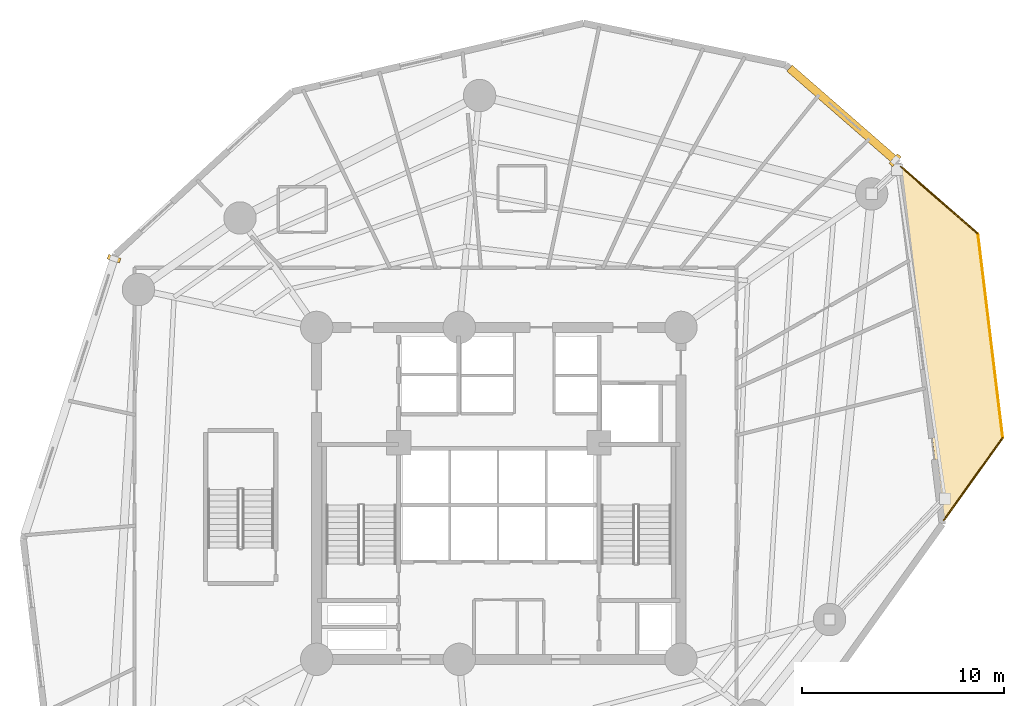
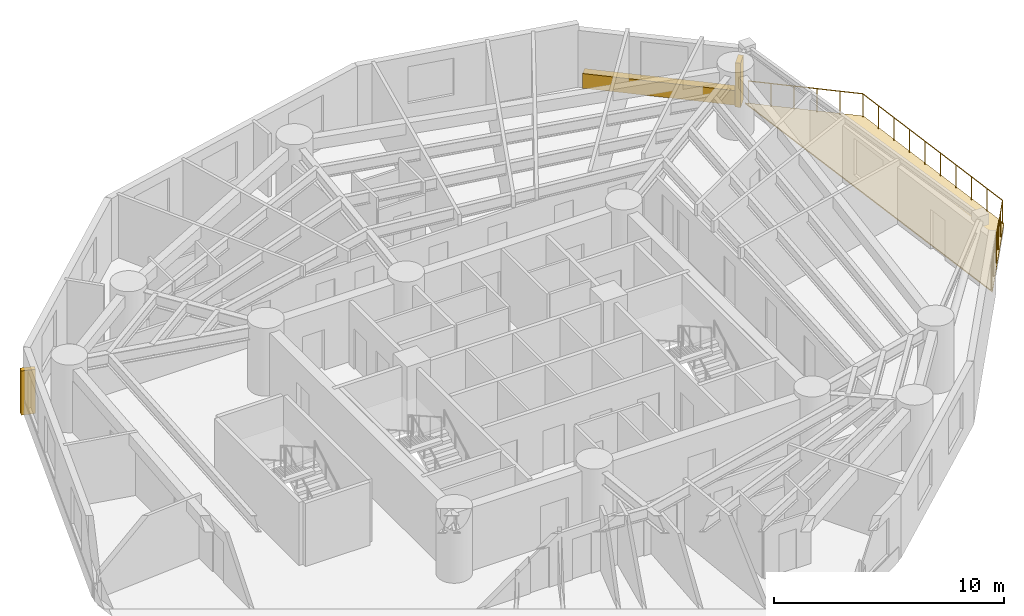
# One storey, part 10 of 10: 3 railings, 2 coverings, 2 shading devices.
"""IFC4 building model written with IfcOpenShell, lengths in metres."""

from ifc_helpers import new_model, si_unit, direction, frame, origin, origin_with_axes, origin_2d, place, context, subcontext, project, spatial, polyline, rectangle, circle, outline, extrude, source, transform, mapped, material, layer, layer_set, type_object, element, save


model = new_model("IFC4")

# Units and contexts
model_context = context("Model", 3, precision=1e-05, world=origin(), true_north=direction((0.0, 1.0)))
body_context = subcontext(model_context, "Body", "Model", "MODEL_VIEW")
ifc_project = project(units=[si_unit("LENGTHUNIT", "METRE"), si_unit("AREAUNIT", "SQUARE_METRE"), si_unit("VOLUMEUNIT", "CUBIC_METRE"), si_unit("PLANEANGLEUNIT", "RADIAN"), si_unit("MASSUNIT", "GRAM", prefix="KILO")], contexts=[model_context])

# Site, building, storey
site_placement = place(None, origin())
site = spatial("IfcSite", under=ifc_project, at=site_placement, CompositionType="ELEMENT")
building_placement = place(site_placement, origin())
building = spatial("IfcBuilding", under=site, at=building_placement, Name="Karkom Vertical University and Central Library", CompositionType="ELEMENT")
storey_placement = place(building_placement, frame((0.0, 0.0, 66.10009765625)))
storey = spatial("IfcBuildingStorey", under=building, at=storey_placement, Name="L17", CompositionType="ELEMENT", Elevation=66.10009765625)

# Covering
ifc_material_1 = material(Name="EPDM membrane with Kota stone ballast roofing", Category="masonry")
ifc_layer_1 = layer(ifc_material_1, 0.080078125)
ifc_layer_set_1 = layer_set([ifc_layer_1], Name="EPDM membrane with Kota stone ballast roofing")
covering_type_1 = type_object("IfcCoveringType", Name="ENV-COV-ROOF", PredefinedType="ROOFING", material=ifc_layer_set_1)
covering_1_placement = place(storey_placement, origin())
element("IfcCovering", 1, at=covering_1_placement, inside=storey, type_object=covering_type_1, Name="Level 17 Spiral Sky Garden Waterproofing Covering", PredefinedType="ROOFING", context=body_context, shape_type="SweptSolid", body=[
    extrude(outline(polyline([(52.231201171875, 39.343994140625), (53.460693359375, 29.245361328125), (50.431640625, 25.003173828125), (48.26513671875, 42.80029296875), (52.231201171875, 39.343994140625)])), origin(), (0.0, 0.0, 1.0), 0.059814453125),
])

# Railings
ifc_material_2 = material(Name="Architectural painted steel & laminated glass balustrade", Category="steel")
ifc_layer_2 = layer(ifc_material_2, 0.090087890625)
ifc_layer_set_2 = layer_set([ifc_layer_2], Name="Architectural painted steel & laminated glass balustrade")
railing_type = type_object("IfcRailingType", Name="ENV-RL-BAL1300", PredefinedType="BALUSTRADE", material=ifc_layer_set_2)
railing_1_placement = place(storey_placement, frame((52.17431640625, 39.31396484375, 0.0)))
element("IfcRailing", 2, at=railing_1_placement, inside=storey, type_object=railing_type, Name="Level 17 Planted Terrace Safety Balustrade 01", PredefinedType="BALUSTRADE", context=body_context, shape_type="SweptSolid", body=[
    extrude(circle(Radius=0.02392578125, at=origin_2d()), frame((0.0, 0.0, 1.27587890625), z_axis=(0.120853326933, -0.992670374983, 0.0), x_axis=(0.992670374983, 0.120853326933, 0.0)), (0.0, 0.0, 1.0), 10.126953125),
    extrude(circle(Radius=0.02099609375, at=origin_2d()), origin(), (0.0, 0.0, 1.0), 1.251953125),
    extrude(circle(Radius=0.02099609375, at=origin_2d()), frame((0.135986328125, -1.116943359375, 0.0)), (0.0, 0.0, 1.0), 1.251953125),
    extrude(circle(Radius=0.02099609375, at=origin_2d()), frame((0.27197265625, -2.23388671875, 0.0)), (0.0, 0.0, 1.0), 1.251953125),
    extrude(circle(Radius=0.02099609375, at=origin_2d()), frame((0.407958984375, -3.350830078125, 0.0)), (0.0, 0.0, 1.0), 1.251953125),
    extrude(circle(Radius=0.02099609375, at=origin_2d()), frame((0.5439453125, -4.4677734375, 0.0)), (0.0, 0.0, 1.0), 1.251953125),
    extrude(circle(Radius=0.02099609375, at=origin_2d()), frame((0.679931640625, -5.5849609375, 0.0)), (0.0, 0.0, 1.0), 1.251953125),
    extrude(circle(Radius=0.02099609375, at=origin_2d()), frame((0.81591796875, -6.701904296875, 0.0)), (0.0, 0.0, 1.0), 1.251953125),
    extrude(circle(Radius=0.02099609375, at=origin_2d()), frame((0.951904296875, -7.81884765625, 0.0)), (0.0, 0.0, 1.0), 1.251953125),
    extrude(circle(Radius=0.02099609375, at=origin_2d()), frame((1.087890625, -8.935791015625, 0.0)), (0.0, 0.0, 1.0), 1.251953125),
    extrude(circle(Radius=0.02099609375, at=origin_2d()), frame((1.223876953125, -10.052734375, 0.0)), (0.0, 0.0, 1.0), 1.251953125),
])
railing_2_placement = place(storey_placement, frame((53.398193359375, 29.26123046875, 0.0)))
element("IfcRailing", 3, at=railing_2_placement, inside=storey, type_object=railing_type, Name="Level 17 Planted Terrace Safety Balustrade 02", PredefinedType="BALUSTRADE", context=body_context, shape_type="SweptSolid", body=[
    extrude(circle(Radius=0.02392578125, at=origin_2d()), frame((0.0, 0.0, 1.27587890625), z_axis=(-0.581059289776, -0.813861230042, 0.0), x_axis=(0.813861230042, -0.581059289776, 0.0)), (0.0, 0.0, 1.0), 5.034912109375),
    extrude(circle(Radius=0.02099609375, at=origin_2d()), origin(), (0.0, 0.0, 1.0), 1.251953125),
    extrude(circle(Radius=0.02099609375, at=origin_2d()), frame((-0.585205078125, -0.819580078125, 0.0)), (0.0, 0.0, 1.0), 1.251953125),
    extrude(circle(Radius=0.02099609375, at=origin_2d()), frame((-1.170166015625, -1.63916015625, 0.0)), (0.0, 0.0, 1.0), 1.251953125),
    extrude(circle(Radius=0.02099609375, at=origin_2d()), frame((-1.75537109375, -2.45849609375, 0.0)), (0.0, 0.0, 1.0), 1.251953125),
    extrude(circle(Radius=0.02099609375, at=origin_2d()), frame((-2.34033203125, -3.278076171875, 0.0)), (0.0, 0.0, 1.0), 1.251953125),
    extrude(circle(Radius=0.02099609375, at=origin_2d()), frame((-2.925537109375, -4.09765625, 0.0)), (0.0, 0.0, 1.0), 1.251953125),
])
railing_3_placement = place(storey_placement, frame((48.343505859375, 42.652099609375, 0.0)))
element("IfcRailing", 4, at=railing_3_placement, inside=storey, type_object=railing_type, Name="Level 17 Planted Terrace Safety Balustrade 03", PredefinedType="BALUSTRADE", context=body_context, shape_type="SweptSolid", body=[
    extrude(circle(Radius=0.02392578125, at=origin_2d()), frame((0.0, 0.0, 1.27587890625), z_axis=(0.753923441614, -0.656962285207, 0.0), x_axis=(0.656962285207, 0.753923441614, 0.0)), (0.0, 0.0, 1.0), 5.0810546875),
    extrude(circle(Radius=0.02099609375, at=origin_2d()), origin(), (0.0, 0.0, 1.0), 1.251953125),
    extrude(circle(Radius=0.02099609375, at=origin_2d()), frame((0.76611328125, -0.667724609375, 0.0)), (0.0, 0.0, 1.0), 1.251953125),
    extrude(circle(Radius=0.02099609375, at=origin_2d()), frame((1.5322265625, -1.335205078125, 0.0)), (0.0, 0.0, 1.0), 1.251953125),
    extrude(circle(Radius=0.02099609375, at=origin_2d()), frame((2.298583984375, -2.0029296875, 0.0)), (0.0, 0.0, 1.0), 1.251953125),
    extrude(circle(Radius=0.02099609375, at=origin_2d()), frame((3.064697265625, -2.67041015625, 0.0)), (0.0, 0.0, 1.0), 1.251953125),
    extrude(circle(Radius=0.02099609375, at=origin_2d()), frame((3.830810546875, -3.338134765625, 0.0)), (0.0, 0.0, 1.0), 1.251953125),
])

# Shading devices
ifc_material_3 = material(Name="Terracotta-clad precast concrete sun-breaker fin C45/55", Category="masonry")
shading_device_type = type_object("IfcShadingDeviceType", Name="ENV-SHD-BRISE", PredefinedType="USERDEFINED", material=ifc_material_3)
shared_shape_1 = source(origin_with_axes(), body_context, "Body", "SweptSolid", [
    extrude(rectangle(XDim=0.239990234375, YDim=0.639892578125, at=origin_2d()), origin(), (0.0, 0.0, 1.0), 2.35009765625),
])
for number, where, z_axis, x_axis, name in (
    (5, (9.4912109375, 38.0966796875, -0.000244140625), (0.0, 0.0, 1.0), (-0.308020881065, -0.951379596601, 0.0), "Level 17 Brutalist Brise-Soleil Fin 01"),
    (6, (48.07666015625, 42.96435546875, -0.000244140625), (0.0, 0.0, 1.0), (-0.753907489863, 0.656980590831, 0.0), "Level 17 Brutalist Brise-Soleil Fin 09"),
):
    element("IfcShadingDevice", number, at=place(storey_placement, frame(where, z_axis=z_axis, x_axis=x_axis)), inside=storey, type_object=shading_device_type, Name=name, ObjectType="BRISE SOLEIL", PredefinedType="USERDEFINED", context=body_context, shape_type="MappedRepresentation", body=[
        mapped(shared_shape_1, transform((0.0, 0.0, 0.0), scale=1.0)),
    ])

# Covering
ifc_material_4 = material(Name="Hand-pressed red-ochre terracotta brick slip cladding", Category="masonry")
ifc_layer_3 = layer(ifc_material_4, 0.090087890625)
ifc_layer_set_3 = layer_set([ifc_layer_3], Name="Hand-pressed red-ochre terracotta brick slip cladding")
covering_type_2 = type_object("IfcCoveringType", Name="ENV-COV-CLAD", PredefinedType="CLADDING", material=ifc_layer_set_3)
shared_shape_2 = source(origin_with_axes(), body_context, "Body", "SweptSolid", [
    extrude(rectangle(XDim=6.884033203125, YDim=0.39990234375, at=origin_2d()), origin(), (0.0, 0.0, 1.0), 0.780029296875),
])
covering_2_placement = place(storey_placement, frame((45.45947265625, 45.2451171875, 0.0), z_axis=(0.0, 0.0, 1.0), x_axis=(-0.753907489863, 0.656980590831, 0.0)))
element("IfcCovering", 7, at=covering_2_placement, inside=storey, type_object=covering_type_2, Name="Level 17 Terracotta Spandrel Cladding 09", PredefinedType="CLADDING", context=body_context, shape_type="MappedRepresentation", body=[
    mapped(shared_shape_2, transform((0.0, 0.0, 0.0), scale=1.0)),
])

save(model, "model.ifc")
